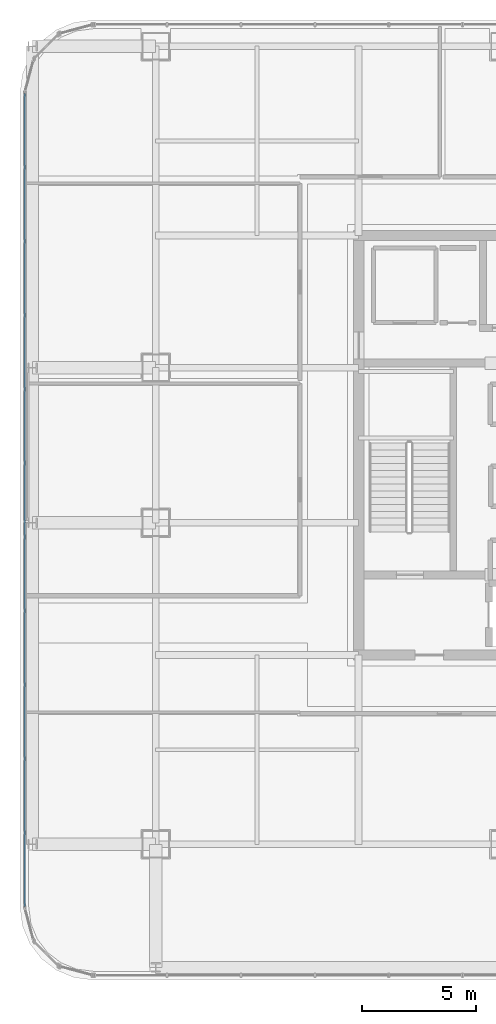
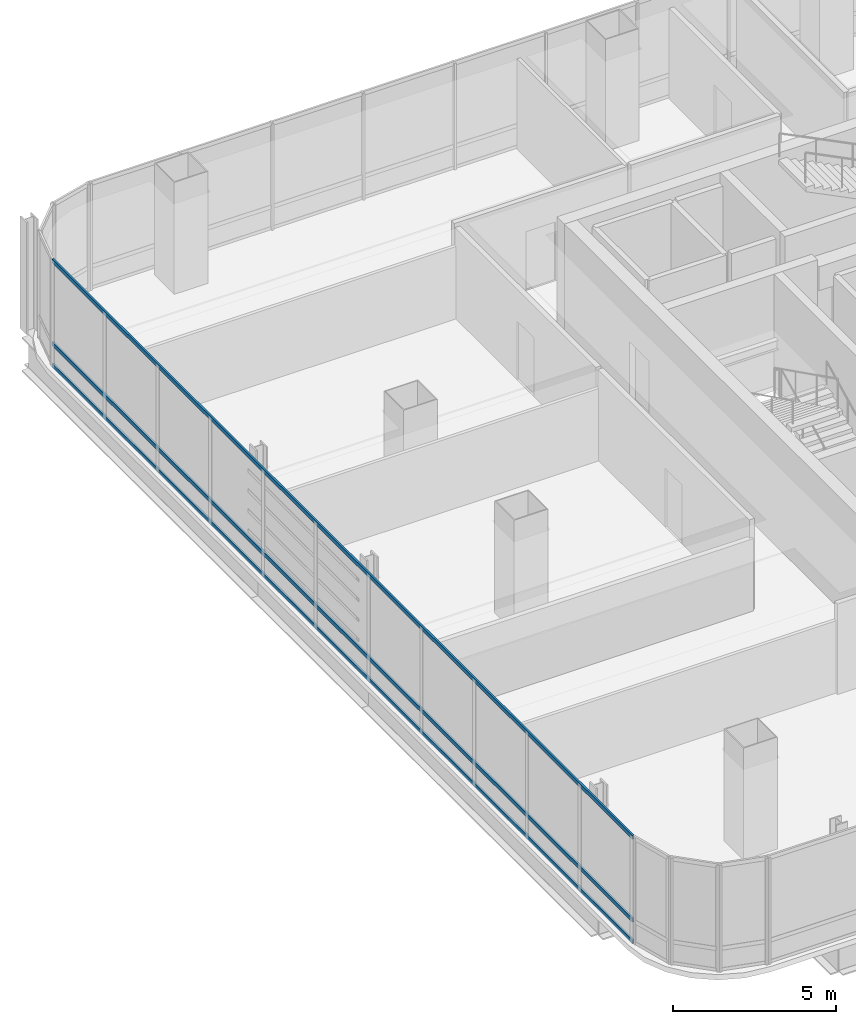
# One storey, part 11 of 43: 3 members, 1 element without a shape of its own.
"""IFC4 building model written with IfcOpenShell, lengths in metres."""

from ifc_helpers import new_model, si_unit, direction, frame, origin, origin_2d, place, context, subcontext, project, spatial, hollow_rectangle, extrude, material, material_profile, profile_set, type_object, element, aggregate, save


model = new_model("IFC4")

# Units and contexts
model_context = context("Model", 3, precision=1e-05, world=origin(), true_north=direction((0.0, 1.0)))
body_context = subcontext(model_context, "Body", "Model", "MODEL_VIEW")
ifc_project = project(units=[si_unit("LENGTHUNIT", "METRE"), si_unit("AREAUNIT", "SQUARE_METRE"), si_unit("VOLUMEUNIT", "CUBIC_METRE"), si_unit("PLANEANGLEUNIT", "RADIAN"), si_unit("MASSUNIT", "GRAM", prefix="KILO")], contexts=[model_context])

# Site, building, storey
site_placement = place(None, origin())
site = spatial("IfcSite", under=ifc_project, at=site_placement, CompositionType="ELEMENT")
building_placement = place(site_placement, origin())
building = spatial("IfcBuilding", under=site, at=building_placement, Name="Punatoya Terracotta Tower", CompositionType="ELEMENT")
storey_placement = place(building_placement, frame((0.0, 0.0, 321.60009765625)))
storey = spatial("IfcBuildingStorey", under=building, at=storey_placement, Name="L76", CompositionType="ELEMENT", Elevation=321.60009765625)

# Curtain wall, members
ifc_material_1 = material(Name="Aluminium 6063-T6 + Double Low-E Glass", Category="aluminium")
curtain_wall_type = type_object("IfcCurtainWallType", Name="CW-OBS", PredefinedType="NOTDEFINED", material=ifc_material_1)
curtain_wall_placement = place(storey_placement, origin())
curtain_wall = element("IfcCurtainWall", 1, at=curtain_wall_placement, inside=storey, type_object=curtain_wall_type, Name="L76 Curtain Wall CW-L76-W13-1", PredefinedType="NOTDEFINED")
ifc_material_2 = material(Name="Aluminium 6063-T6", Category="aluminium")
ifc_material_profile = material_profile(ifc_material_2, hollow_rectangle(XDim=0.068115234375, YDim=0.14990234375, WallThickness=0.00390625, at=origin_2d()))
ifc_profile_set = profile_set([ifc_material_profile], Name="Aluminium 6063-T6")
member_type = type_object("IfcMemberType", Name="CW-TRN-TYP", PredefinedType="USERDEFINED", material=ifc_profile_set)
member_1_placement = place(storey_placement, frame((-24.85009765625, 15.43701171875, 0.039794921875), z_axis=(0.0, -1.0, 0.0), x_axis=(1.0, 0.0, 0.0)))
member_1 = element("IfcMember", 2, at=member_1_placement, type_object=member_type, Name="CW-L76-W13-1 Transom 1", ObjectType="TRANSOM", PredefinedType="USERDEFINED", context=body_context, shape_type="SweptSolid", body=[
    extrude(hollow_rectangle(XDim=0.068115234375, YDim=0.14990234375, WallThickness=0.00390625, at=origin_2d()), origin(), (0.0, 0.0, 1.0), 35.673828125),
])
member_2_placement = place(storey_placement, frame((-24.85009765625, 15.43701171875, 0.849853515625), z_axis=(0.0, -1.0, 0.0), x_axis=(1.0, 0.0, 0.0)))
member_2 = element("IfcMember", 3, at=member_2_placement, type_object=member_type, Name="CW-L76-W13-1 Transom 2", ObjectType="TRANSOM", PredefinedType="USERDEFINED", context=body_context, shape_type="SweptSolid", body=[
    extrude(hollow_rectangle(XDim=0.068115234375, YDim=0.14990234375, WallThickness=0.00390625, at=origin_2d()), origin(), (0.0, 0.0, 1.0), 35.673828125),
])
member_3_placement = place(storey_placement, frame((-24.85009765625, 15.43701171875, 3.9599609375), z_axis=(0.0, -1.0, 0.0), x_axis=(1.0, 0.0, 0.0)))
member_3 = element("IfcMember", 4, at=member_3_placement, type_object=member_type, Name="CW-L76-W13-1 Transom 3", ObjectType="TRANSOM", PredefinedType="USERDEFINED", context=body_context, shape_type="SweptSolid", body=[
    extrude(hollow_rectangle(XDim=0.068115234375, YDim=0.14990234375, WallThickness=0.00390625, at=origin_2d()), origin(), (0.0, 0.0, 1.0), 35.673828125),
])
aggregate(curtain_wall, [member_1, member_2, member_3])

save(model, "model.ifc")
